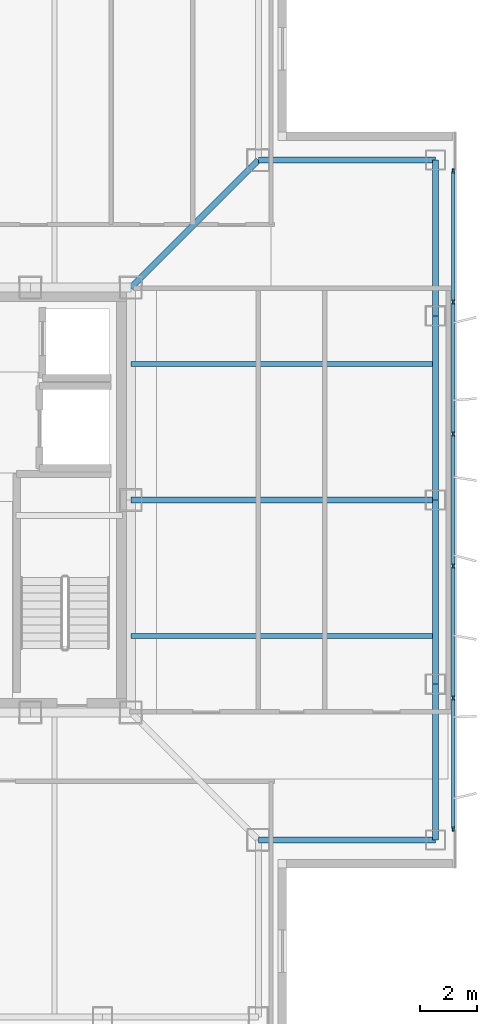
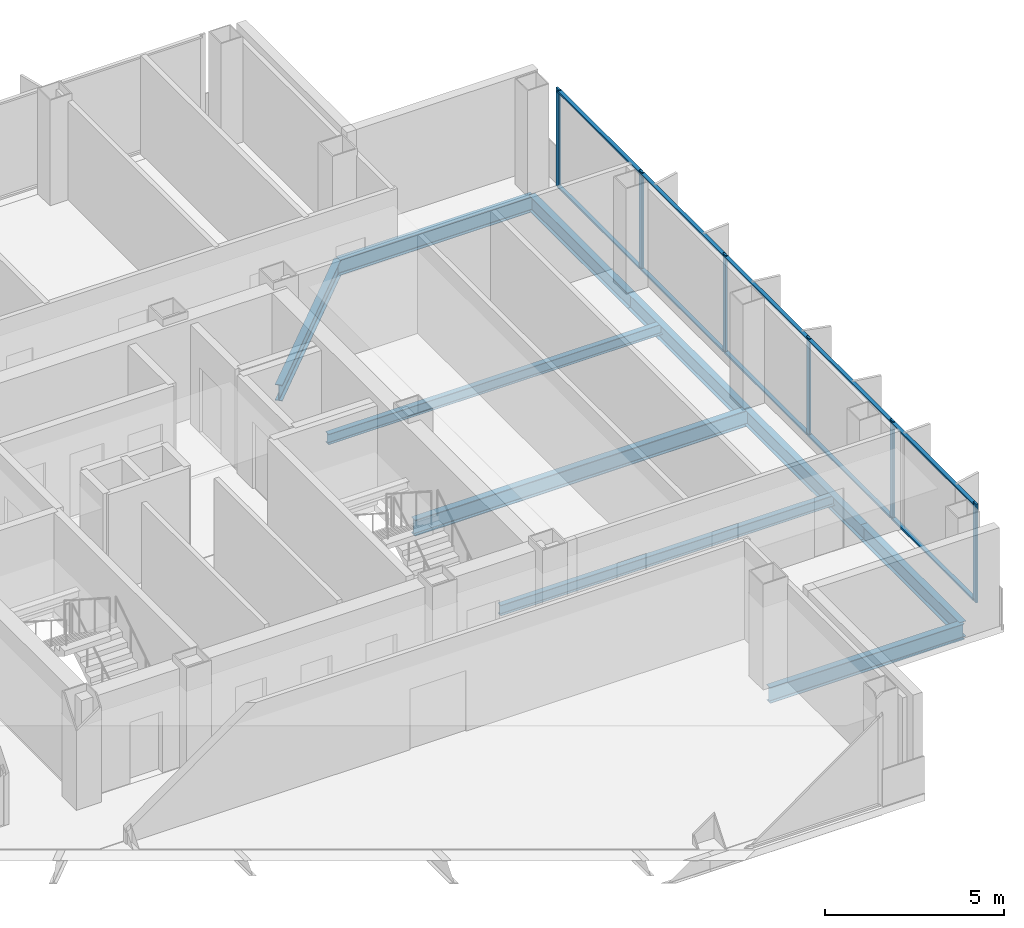
# One storey, part 5 of 15: 16 members, 10 beams, 1 element without a shape of its own.
"""IFC4 building model written with IfcOpenShell, lengths in metres."""

from ifc_helpers import new_model, si_unit, direction, frame, origin, origin_2d, place, context, subcontext, project, spatial, rectangle, i_section, extrude, material, layer, layer_set, material_profile, profile_set, type_object, element, aggregate, save


model = new_model("IFC4")

# Units and contexts
model_context = context("Model", 3, precision=1e-05, world=origin(), true_north=direction((0.0, 1.0)))
body_context = subcontext(model_context, "Body", "Model", "MODEL_VIEW")
ifc_project = project(units=[si_unit("LENGTHUNIT", "METRE"), si_unit("AREAUNIT", "SQUARE_METRE"), si_unit("VOLUMEUNIT", "CUBIC_METRE"), si_unit("PLANEANGLEUNIT", "RADIAN"), si_unit("MASSUNIT", "GRAM", prefix="KILO")], contexts=[model_context])

# Site, building, storey
site_placement = place(None, origin())
site = spatial("IfcSite", under=ifc_project, at=site_placement, CompositionType="ELEMENT")
building_placement = place(site_placement, origin())
building = spatial("IfcBuilding", under=site, at=building_placement, Name="Trevonay Congress Spire", CompositionType="ELEMENT")
storey_placement = place(building_placement, frame((0.0, 0.0, 250.39990234375)))
storey = spatial("IfcBuildingStorey", under=building, at=storey_placement, Name="L65", CompositionType="ELEMENT", Elevation=250.39990234375)

# Beams
ifc_material_1 = material(Name="Steel ASTM A572 Grade 50", Category="steel")
ifc_material_profile_1 = material_profile(ifc_material_1, i_section(OverallWidth=0.2119140625, OverallDepth=0.5439453125, WebThickness=0.01318359375, FlangeThickness=0.021240234375, FilletRadius=0.014892578125, at=origin_2d()), Name="W530x123")
ifc_profile_set_1 = profile_set([ifc_material_profile_1], Name="Steel ASTM A572 Grade 50")
beam_type_1 = type_object("IfcBeamType", Name="BM-GIRD-W530X123", PredefinedType="BEAM", material=ifc_profile_set_1)
beam_1_placement = place(storey_placement, frame((7.5, 7.5, -0.511962890625), z_axis=(0.707106781187, 0.707106781187, 0.0), x_axis=(-0.707106781187, 0.707106781187, 0.0)))
element("IfcBeam", 1, at=beam_1_placement, inside=storey, type_object=beam_type_1, Name="L65 structural beam BM-L65-CDNE", PredefinedType="BEAM", context=body_context, shape_type="SweptSolid", body=[
    extrude(i_section(OverallWidth=0.2119140625, OverallDepth=0.5439453125, WebThickness=0.01318359375, FlangeThickness=0.021240234375, FilletRadius=0.014892578125, at=origin_2d()), origin(), (0.0, 0.0, 1.0), 6.364013671875),
])
beam_2_placement = place(storey_placement, frame((7.5, 0.0, -0.511962890625), z_axis=(1.0, 0.0, 0.0), x_axis=(0.0, 1.0, 0.0)))
element("IfcBeam", 2, at=beam_2_placement, inside=storey, type_object=beam_type_1, Name="L65 structural beam BM-L65-GC-E", PredefinedType="BEAM", context=body_context, shape_type="SweptSolid", body=[
    extrude(i_section(OverallWidth=0.2119140625, OverallDepth=0.5439453125, WebThickness=0.01318359375, FlangeThickness=0.021240234375, FilletRadius=0.014892578125, at=origin_2d()), origin(), (0.0, 0.0, 1.0), 10.75),
])
ifc_material_profile_2 = material_profile(ifc_material_1, i_section(OverallWidth=0.208984375, OverallDepth=0.532958984375, WebThickness=0.01025390625, FlangeThickness=0.015625, FilletRadius=0.014892578125, at=origin_2d()), Name="W530x92")
ifc_profile_set_2 = profile_set([ifc_material_profile_2], Name="Steel ASTM A572 Grade 50")
beam_type_2 = type_object("IfcBeamType", Name="BM-RING-W530X92", PredefinedType="BEAM", material=ifc_profile_set_2)
beam_3_placement = place(storey_placement, frame((18.25, -12.0, -0.50634765625), z_axis=(0.0, 1.0, 0.0), x_axis=(-1.0, 0.0, 0.0)))
element("IfcBeam", 3, at=beam_3_placement, inside=storey, type_object=beam_type_2, Name="L65 structural beam BM-L65-PE1", PredefinedType="BEAM", context=body_context, shape_type="SweptSolid", body=[
    extrude(i_section(OverallWidth=0.208984375, OverallDepth=0.532958984375, WebThickness=0.01025390625, FlangeThickness=0.015625, FilletRadius=0.014892578125, at=origin_2d()), origin(), (0.0, 0.0, 1.0), 5.5),
])
for number, where, z_axis, x_axis, name in (
    (4, (18.25, -6.5, -0.50634765625), (0.0, 1.0, 0.0), (-1.0, 0.0, 0.0), "L65 structural beam BM-L65-PE2"),
    (5, (18.25, 0.0, -0.50634765625), (0.0, 1.0, 0.0), (-1.0, 0.0, 0.0), "L65 structural beam BM-L65-PE3"),
):
    element("IfcBeam", number, at=place(storey_placement, frame(where, z_axis=z_axis, x_axis=x_axis)), inside=storey, type_object=beam_type_2, Name=name, PredefinedType="BEAM", context=body_context, shape_type="SweptSolid", body=[
        extrude(i_section(OverallWidth=0.208984375, OverallDepth=0.532958984375, WebThickness=0.01025390625, FlangeThickness=0.015625, FilletRadius=0.014892578125, at=origin_2d()), origin(), (0.0, 0.0, 1.0), 6.5),
    ])
beam_4_placement = place(storey_placement, frame((18.25, 6.5, -0.50634765625), z_axis=(0.0, 1.0, 0.0), x_axis=(-1.0, 0.0, 0.0)))
element("IfcBeam", 6, at=beam_4_placement, inside=storey, type_object=beam_type_2, Name="L65 structural beam BM-L65-PE4", PredefinedType="BEAM", context=body_context, shape_type="SweptSolid", body=[
    extrude(i_section(OverallWidth=0.208984375, OverallDepth=0.532958984375, WebThickness=0.01025390625, FlangeThickness=0.015625, FilletRadius=0.014892578125, at=origin_2d()), origin(), (0.0, 0.0, 1.0), 5.5),
])
for number, where, z_axis, x_axis, name in (
    (7, (18.25, -12.0, -0.50634765625), (-1.0, 0.0, 0.0), (0.0, -1.0, 0.0), "L65 structural beam BM-L65-N2SE"),
    (8, (18.25, 12.0, -0.50634765625), (-1.0, 0.0, 0.0), (0.0, -1.0, 0.0), "L65 structural beam BM-L65-N2NE"),
):
    element("IfcBeam", number, at=place(storey_placement, frame(where, z_axis=z_axis, x_axis=x_axis)), inside=storey, type_object=beam_type_2, Name=name, PredefinedType="BEAM", context=body_context, shape_type="SweptSolid", body=[
        extrude(i_section(OverallWidth=0.208984375, OverallDepth=0.532958984375, WebThickness=0.01025390625, FlangeThickness=0.015625, FilletRadius=0.014892578125, at=origin_2d()), origin(), (0.0, 0.0, 1.0), 6.25),
    ])

# Curtain wall, members
ifc_material_2 = material(Name="Pale Anodised Aluminium EN AW-6063-T6", Category="aluminium")
ifc_layer = layer(ifc_material_2, 0.1650390625, Name="Pale Anodised Aluminium EN AW-6063-T6")
ifc_layer_set = layer_set([ifc_layer], Name="Pale Anodised Aluminium EN AW-6063-T6")
curtain_wall_type = type_object("IfcCurtainWallType", Name="CW-SYS05-DIPLOM-PALE-METAL", PredefinedType="NOTDEFINED", material=ifc_layer_set)
curtain_wall_placement = place(storey_placement, origin())
curtain_wall = element("IfcCurtainWall", 9, at=curtain_wall_placement, inside=storey, type_object=curtain_wall_type, Name="L65 E unitised curtain wall", PredefinedType="NOTDEFINED")
ifc_material_profile_3 = material_profile(ifc_material_2, rectangle(XDim=0.06005859375, YDim=0.159912109375, at=origin_2d()), Name="CW-MULLION-160-ALUMINIUM")
ifc_profile_set_3 = profile_set([ifc_material_profile_3], Name="Pale Anodised Aluminium EN AW-6063-T6")
member_type_1 = type_object("IfcMemberType", Name="CW-MULLION-160-ALUMINIUM", PredefinedType="MULLION", material=ifc_profile_set_3)
member_1_placement = place(storey_placement, frame((18.8798828125, -11.6201171875, 0.0), z_axis=(0.0, 0.0, 1.0), x_axis=(-1.0, 0.0, 0.0)))
member_1 = element("IfcMember", 10, at=member_1_placement, type_object=member_type_1, Name="CW05 mullion 1", PredefinedType="MULLION", context=body_context, shape_type="SweptSolid", body=[
    extrude(rectangle(XDim=0.06005859375, YDim=0.159912109375, at=origin_2d()), origin(), (0.0, 0.0, 1.0), 3.360107421875),
])
member_2_placement = place(storey_placement, frame((18.8798828125, -6.989990234375, 0.0), z_axis=(0.0, 0.0, 1.0), x_axis=(-1.0, 0.0, 0.0)))
member_2 = element("IfcMember", 11, at=member_2_placement, type_object=member_type_1, Name="CW05 mullion 2", PredefinedType="MULLION", context=body_context, shape_type="SweptSolid", body=[
    extrude(rectangle(XDim=0.06005859375, YDim=0.159912109375, at=origin_2d()), origin(), (0.0, 0.0, 1.0), 3.360107421875),
])
member_3_placement = place(storey_placement, frame((18.8798828125, -2.330078125, 0.0), z_axis=(0.0, 0.0, 1.0), x_axis=(-1.0, 0.0, 0.0)))
member_3 = element("IfcMember", 12, at=member_3_placement, type_object=member_type_1, Name="CW05 mullion 3", PredefinedType="MULLION", context=body_context, shape_type="SweptSolid", body=[
    extrude(rectangle(XDim=0.06005859375, YDim=0.159912109375, at=origin_2d()), origin(), (0.0, 0.0, 1.0), 3.360107421875),
])
member_4_placement = place(storey_placement, frame((18.8798828125, 2.330078125, 0.0), z_axis=(0.0, 0.0, 1.0), x_axis=(-1.0, 0.0, 0.0)))
member_4 = element("IfcMember", 13, at=member_4_placement, type_object=member_type_1, Name="CW05 mullion 4", PredefinedType="MULLION", context=body_context, shape_type="SweptSolid", body=[
    extrude(rectangle(XDim=0.06005859375, YDim=0.159912109375, at=origin_2d()), origin(), (0.0, 0.0, 1.0), 3.360107421875),
])
member_5_placement = place(storey_placement, frame((18.8798828125, 6.989990234375, 0.0), z_axis=(0.0, 0.0, 1.0), x_axis=(-1.0, 0.0, 0.0)))
member_5 = element("IfcMember", 14, at=member_5_placement, type_object=member_type_1, Name="CW05 mullion 5", PredefinedType="MULLION", context=body_context, shape_type="SweptSolid", body=[
    extrude(rectangle(XDim=0.06005859375, YDim=0.159912109375, at=origin_2d()), origin(), (0.0, 0.0, 1.0), 3.360107421875),
])
member_6_placement = place(storey_placement, frame((18.8798828125, 11.6201171875, 0.0), z_axis=(0.0, 0.0, 1.0), x_axis=(-1.0, 0.0, 0.0)))
member_6 = element("IfcMember", 15, at=member_6_placement, type_object=member_type_1, Name="CW05 mullion 6", PredefinedType="MULLION", context=body_context, shape_type="SweptSolid", body=[
    extrude(rectangle(XDim=0.06005859375, YDim=0.159912109375, at=origin_2d()), origin(), (0.0, 0.0, 1.0), 3.360107421875),
])
ifc_material_profile_4 = material_profile(ifc_material_2, rectangle(XDim=0.1201171875, YDim=0.06005859375, at=origin_2d()), Name="CW-TRANSOM-120-ALUMINIUM")
ifc_profile_set_4 = profile_set([ifc_material_profile_4], Name="Pale Anodised Aluminium EN AW-6063-T6")
member_type_2 = type_object("IfcMemberType", Name="CW-TRANSOM-120-ALUMINIUM", PredefinedType="USERDEFINED", material=ifc_profile_set_4)
member_7_placement = place(storey_placement, frame((18.8798828125, -11.590087890625, 0.06005859375), z_axis=(0.0, 1.0, 0.0), x_axis=(-1.0, 0.0, 0.0)))
member_7 = element("IfcMember", 16, at=member_7_placement, type_object=member_type_2, Name="CW05 transom 1.1", ObjectType="TRANSOM", PredefinedType="USERDEFINED", context=body_context, shape_type="SweptSolid", body=[
    extrude(rectangle(XDim=0.1201171875, YDim=0.06005859375, at=origin_2d()), origin(), (0.0, 0.0, 1.0), 4.570068359375),
])
member_8_placement = place(storey_placement, frame((18.8798828125, -11.590087890625, 3.300048828125), z_axis=(0.0, 1.0, 0.0), x_axis=(-1.0, 0.0, 0.0)))
member_8 = element("IfcMember", 17, at=member_8_placement, type_object=member_type_2, Name="CW05 transom 1.2", ObjectType="TRANSOM", PredefinedType="USERDEFINED", context=body_context, shape_type="SweptSolid", body=[
    extrude(rectangle(XDim=0.1201171875, YDim=0.06005859375, at=origin_2d()), origin(), (0.0, 0.0, 1.0), 4.570068359375),
])
member_9_placement = place(storey_placement, frame((18.8798828125, -6.9599609375, 0.06005859375), z_axis=(0.0, 1.0, 0.0), x_axis=(-1.0, 0.0, 0.0)))
member_9 = element("IfcMember", 18, at=member_9_placement, type_object=member_type_2, Name="CW05 transom 2.1", ObjectType="TRANSOM", PredefinedType="USERDEFINED", context=body_context, shape_type="SweptSolid", body=[
    extrude(rectangle(XDim=0.1201171875, YDim=0.06005859375, at=origin_2d()), origin(), (0.0, 0.0, 1.0), 4.599853515625),
])
member_10_placement = place(storey_placement, frame((18.8798828125, -6.9599609375, 3.300048828125), z_axis=(0.0, 1.0, 0.0), x_axis=(-1.0, 0.0, 0.0)))
member_10 = element("IfcMember", 19, at=member_10_placement, type_object=member_type_2, Name="CW05 transom 2.2", ObjectType="TRANSOM", PredefinedType="USERDEFINED", context=body_context, shape_type="SweptSolid", body=[
    extrude(rectangle(XDim=0.1201171875, YDim=0.06005859375, at=origin_2d()), origin(), (0.0, 0.0, 1.0), 4.599853515625),
])
member_11_placement = place(storey_placement, frame((18.8798828125, -2.300048828125, 0.06005859375), z_axis=(0.0, 1.0, 0.0), x_axis=(-1.0, 0.0, 0.0)))
member_11 = element("IfcMember", 20, at=member_11_placement, type_object=member_type_2, Name="CW05 transom 3.1", ObjectType="TRANSOM", PredefinedType="USERDEFINED", context=body_context, shape_type="SweptSolid", body=[
    extrude(rectangle(XDim=0.1201171875, YDim=0.06005859375, at=origin_2d()), origin(), (0.0, 0.0, 1.0), 4.60009765625),
])
member_12_placement = place(storey_placement, frame((18.8798828125, -2.300048828125, 3.300048828125), z_axis=(0.0, 1.0, 0.0), x_axis=(-1.0, 0.0, 0.0)))
member_12 = element("IfcMember", 21, at=member_12_placement, type_object=member_type_2, Name="CW05 transom 3.2", ObjectType="TRANSOM", PredefinedType="USERDEFINED", context=body_context, shape_type="SweptSolid", body=[
    extrude(rectangle(XDim=0.1201171875, YDim=0.06005859375, at=origin_2d()), origin(), (0.0, 0.0, 1.0), 4.60009765625),
])
member_13_placement = place(storey_placement, frame((18.8798828125, 2.360107421875, 0.06005859375), z_axis=(0.0, 1.0, 0.0), x_axis=(-1.0, 0.0, 0.0)))
member_13 = element("IfcMember", 22, at=member_13_placement, type_object=member_type_2, Name="CW05 transom 4.1", ObjectType="TRANSOM", PredefinedType="USERDEFINED", context=body_context, shape_type="SweptSolid", body=[
    extrude(rectangle(XDim=0.1201171875, YDim=0.06005859375, at=origin_2d()), origin(), (0.0, 0.0, 1.0), 4.599853515625),
])
member_14_placement = place(storey_placement, frame((18.8798828125, 2.360107421875, 3.300048828125), z_axis=(0.0, 1.0, 0.0), x_axis=(-1.0, 0.0, 0.0)))
member_14 = element("IfcMember", 23, at=member_14_placement, type_object=member_type_2, Name="CW05 transom 4.2", ObjectType="TRANSOM", PredefinedType="USERDEFINED", context=body_context, shape_type="SweptSolid", body=[
    extrude(rectangle(XDim=0.1201171875, YDim=0.06005859375, at=origin_2d()), origin(), (0.0, 0.0, 1.0), 4.599853515625),
])
member_15_placement = place(storey_placement, frame((18.8798828125, 7.02001953125, 0.06005859375), z_axis=(0.0, 1.0, 0.0), x_axis=(-1.0, 0.0, 0.0)))
member_15 = element("IfcMember", 24, at=member_15_placement, type_object=member_type_2, Name="CW05 transom 5.1", ObjectType="TRANSOM", PredefinedType="USERDEFINED", context=body_context, shape_type="SweptSolid", body=[
    extrude(rectangle(XDim=0.1201171875, YDim=0.06005859375, at=origin_2d()), origin(), (0.0, 0.0, 1.0), 4.570068359375),
])
member_16_placement = place(storey_placement, frame((18.8798828125, 7.02001953125, 3.300048828125), z_axis=(0.0, 1.0, 0.0), x_axis=(-1.0, 0.0, 0.0)))
member_16 = element("IfcMember", 25, at=member_16_placement, type_object=member_type_2, Name="CW05 transom 5.2", ObjectType="TRANSOM", PredefinedType="USERDEFINED", context=body_context, shape_type="SweptSolid", body=[
    extrude(rectangle(XDim=0.1201171875, YDim=0.06005859375, at=origin_2d()), origin(), (0.0, 0.0, 1.0), 4.570068359375),
])
aggregate(curtain_wall, [member_1, member_2, member_3, member_4, member_5, member_6, member_7, member_8, member_9, member_10, member_11, member_12, member_13, member_14, member_15, member_16])

# Beams
ifc_material_profile_5 = material_profile(ifc_material_1, i_section(OverallWidth=0.172119140625, OverallDepth=0.35791015625, WebThickness=0.0078125, FlangeThickness=0.01318359375, FilletRadius=0.011962890625, at=origin_2d()), Name="W360x57.8")
ifc_profile_set_5 = profile_set([ifc_material_profile_5], Name="Steel ASTM A572 Grade 50")
beam_type_3 = type_object("IfcBeamType", Name="JS-COMP-W360X57", PredefinedType="JOIST", material=ifc_profile_set_5)
for number, where, z_axis, x_axis, name in (
    (26, (7.5, -4.800048828125, -0.4189453125), (1.0, 0.0, 0.0), (0.0, 1.0, 0.0), "L65 structural beam JS-L65-EW-E1"),
    (27, (7.5, 4.800048828125, -0.4189453125), (1.0, 0.0, 0.0), (0.0, 1.0, 0.0), "L65 structural beam JS-L65-EW-E3"),
):
    element("IfcBeam", number, at=place(storey_placement, frame(where, z_axis=z_axis, x_axis=x_axis)), inside=storey, type_object=beam_type_3, Name=name, PredefinedType="JOIST", context=body_context, shape_type="SweptSolid", body=[
        extrude(i_section(OverallWidth=0.172119140625, OverallDepth=0.35791015625, WebThickness=0.0078125, FlangeThickness=0.01318359375, FilletRadius=0.011962890625, at=origin_2d()), origin(), (0.0, 0.0, 1.0), 10.75),
    ])

save(model, "model.ifc")
